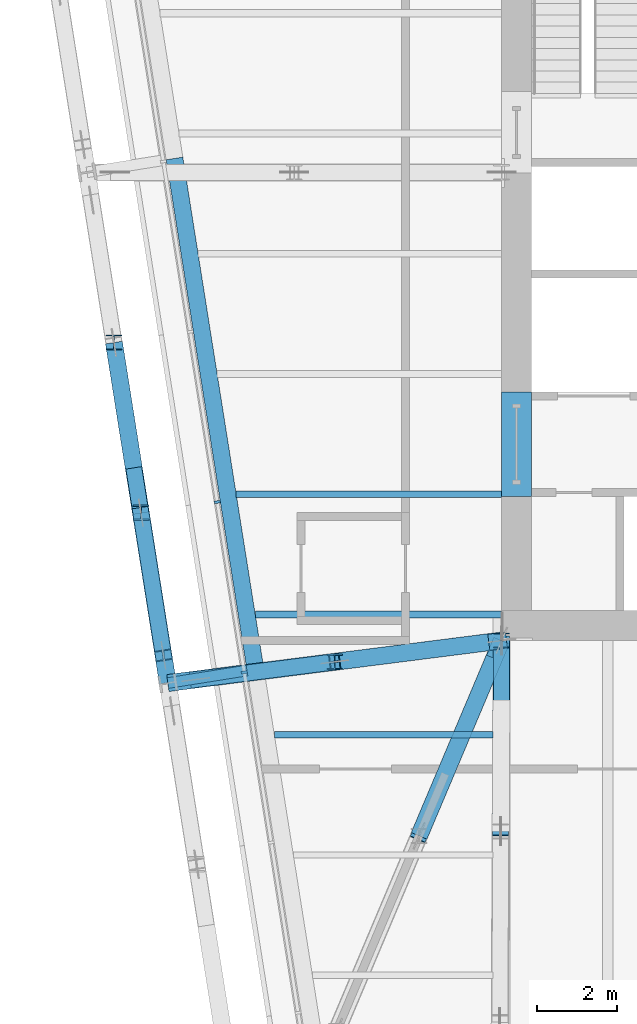
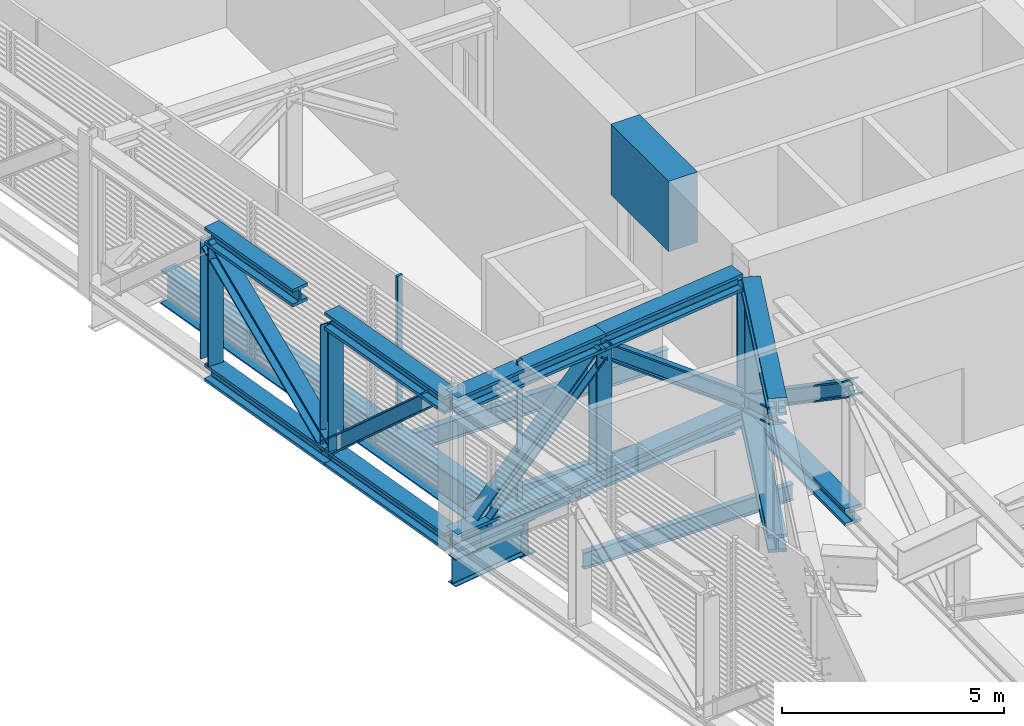
# One storey, part 4 of 31: 17 beams, 12 members, 1 element without a shape of its own.
"""IFC4 building model written with IfcOpenShell, lengths in metres."""

from ifc_helpers import new_model, si_unit, direction, frame, origin, origin_2d, place, context, subcontext, project, spatial, rectangle, i_section, extrude, material, layer, layer_set, material_profile, profile_set, type_object, element, aggregate, save


model = new_model("IFC4")

# Units and contexts
model_context = context("Model", 3, precision=1e-05, world=origin(), true_north=direction((0.0, 1.0)))
body_context = subcontext(model_context, "Body", "Model", "MODEL_VIEW")
ifc_project = project(units=[si_unit("LENGTHUNIT", "METRE"), si_unit("AREAUNIT", "SQUARE_METRE"), si_unit("VOLUMEUNIT", "CUBIC_METRE"), si_unit("PLANEANGLEUNIT", "RADIAN"), si_unit("MASSUNIT", "GRAM", prefix="KILO")], contexts=[model_context])

# Site, building, storey
site_placement = place(None, origin())
site = spatial("IfcSite", under=ifc_project, at=site_placement, CompositionType="ELEMENT")
building_placement = place(site_placement, origin())
building = spatial("IfcBuilding", under=site, at=building_placement, Name="Millrace Tower", CompositionType="ELEMENT")
storey_placement = place(building_placement, frame((0.0, 0.0, 195.60009765625)))
storey = spatial("IfcBuildingStorey", under=building, at=storey_placement, Name="L44", CompositionType="ELEMENT", Elevation=195.60009765625)

# Beams
ifc_material_1 = material(Name="Steel ASTM A992 Grade 50", Category="steel")
ifc_material_profile_1 = material_profile(ifc_material_1, i_section(OverallWidth=0.4267578125, OverallDepth=0.482666015625, WebThickness=0.05126953125, FlangeThickness=0.08154296875, FilletRadius=0.01513671875, at=origin_2d()))
ifc_profile_set_1 = profile_set([ifc_material_profile_1], Name="Steel ASTM A992 Grade 50")
beam_type_1 = type_object("IfcBeamType", Name="Belt truss chord W14x455", PredefinedType="BEAM", material=ifc_profile_set_1)
for number, where, z_axis, x_axis, name in (
    (1, (-24.322265625, -2.215576171875, 0.2412109375), (0.15642030113, -0.987690583834, 0.0), (0.987690583834, 0.15642030113, 0.0), "BLT-L44-R15-B02"),
    (2, (-23.649658203125, -6.462646484375, 0.2412109375), (0.15642030113, -0.987690583834, 0.0), (0.987690583834, 0.15642030113, 0.0), "BLT-L44-R15-B03"),
):
    element("IfcBeam", number, at=place(storey_placement, frame(where, z_axis=z_axis, x_axis=x_axis)), inside=storey, type_object=beam_type_1, Name=name, PredefinedType="BEAM", context=body_context, shape_type="SweptSolid", body=[
        extrude(i_section(OverallWidth=0.4267578125, OverallDepth=0.482666015625, WebThickness=0.05126953125, FlangeThickness=0.08154296875, FilletRadius=0.01513671875, at=origin_2d()), origin(), (0.0, 0.0, 1.0), 4.300048828125),
    ])
beam_1_placement = place(storey_placement, frame((-24.322265625, -2.215576171875, 3.99853515625), z_axis=(0.156386476371, -0.987695940059, 0.0), x_axis=(0.987695940059, 0.156386476371, 0.0)))
element("IfcBeam", 3, at=beam_1_placement, inside=storey, type_object=beam_type_1, Name="BLT-L44-R15-T02", PredefinedType="BEAM", context=body_context, shape_type="SweptSolid", body=[
    extrude(i_section(OverallWidth=0.4267578125, OverallDepth=0.482666015625, WebThickness=0.05126953125, FlangeThickness=0.08154296875, FilletRadius=0.01513671875, at=origin_2d()), origin(), (0.0, 0.0, 1.0), 3.164306640625),
])
beam_2_placement = place(storey_placement, frame((-23.649658203125, -6.462646484375, 3.99853515625), z_axis=(0.156447680442, -0.98768624739, 0.0), x_axis=(0.98768624739, 0.156447680442, 0.0)))
element("IfcBeam", 4, at=beam_2_placement, inside=storey, type_object=beam_type_1, Name="BLT-L44-R15-T03", PredefinedType="BEAM", context=body_context, shape_type="SweptSolid", body=[
    extrude(i_section(OverallWidth=0.4267578125, OverallDepth=0.482666015625, WebThickness=0.05126953125, FlangeThickness=0.08154296875, FilletRadius=0.01513671875, at=origin_2d()), origin(), (0.0, 0.0, 1.0), 4.289794921875),
])

# Members
ifc_material_2 = material(Name="Steel ASTM A992 Grade 50", Category="steel")
ifc_material_profile_2 = material_profile(ifc_material_2, i_section(OverallWidth=0.398681640625, OverallDepth=0.393798828125, WebThickness=0.022705078125, FlangeThickness=0.03662109375, FilletRadius=0.01513671875, at=origin_2d()))
ifc_profile_set_2 = profile_set([ifc_material_profile_2], Name="Steel ASTM A992 Grade 50")
member_type_1 = type_object("IfcMemberType", Name="Belt truss diagonal W14x193", PredefinedType="BRACE", material=ifc_profile_set_2)
member_1_placement = place(storey_placement, frame((-23.649658203125, -6.462646484375, 0.482421875), z_axis=(-0.124439645949, 0.78575393137, 0.605892345102), x_axis=(-0.987690583834, -0.15642030113, 0.0)))
element("IfcMember", 5, at=member_1_placement, inside=storey, type_object=member_type_1, Name="BLT-L44-R15-D02", PredefinedType="BRACE", context=body_context, shape_type="SweptSolid", body=[
    extrude(i_section(OverallWidth=0.398681640625, OverallDepth=0.393798828125, WebThickness=0.022705078125, FlangeThickness=0.03662109375, FilletRadius=0.01513671875, at=origin_2d()), origin(), (0.0, 0.0, 1.0), 5.405029296875),
])
member_2_placement = place(storey_placement, frame((-23.649658203125, -6.462646484375, 0.482421875), z_axis=(0.115681928524, -0.730612145283, 0.672921677893), x_axis=(0.9876957895, 0.156387427258, 0.0)))
element("IfcMember", 6, at=member_2_placement, inside=storey, type_object=member_type_1, Name="BLT-L44-R15-D03", PredefinedType="BRACE", context=body_context, shape_type="SweptSolid", body=[
    extrude(i_section(OverallWidth=0.398681640625, OverallDepth=0.393798828125, WebThickness=0.022705078125, FlangeThickness=0.03662109375, FilletRadius=0.01513671875, at=origin_2d()), origin(), (0.0, 0.0, 1.0), 4.86669921875),
])
ifc_material_3 = material(Name="Steel ASTM A992 Grade 50", Category="steel")
ifc_material_profile_3 = material_profile(ifc_material_3, i_section(OverallWidth=0.396240234375, OverallDepth=0.381103515625, WebThickness=0.018798828125, FlangeThickness=0.0302734375, FilletRadius=0.01513671875, at=origin_2d()))
ifc_profile_set_3 = profile_set([ifc_material_profile_3], Name="Steel ASTM A992 Grade 50")
member_type_2 = type_object("IfcMemberType", Name="Belt truss post W14x159", PredefinedType="POST", material=ifc_profile_set_3)
for number, where, z_axis, x_axis, name in (
    (7, (-24.322265625, -2.215576171875, 0.482421875), (0.0, 0.0, 1.0), (1.0, 0.0, 0.0), "BLT-L44-R15-V01"),
    (8, (-23.649658203125, -6.462646484375, 0.482421875), (0.0, 0.0, 1.0), (1.0, 0.0, 0.0), "BLT-L44-R15-V02"),
):
    element("IfcMember", number, at=place(storey_placement, frame(where, z_axis=z_axis, x_axis=x_axis)), inside=storey, type_object=member_type_2, Name=name, PredefinedType="POST", context=body_context, shape_type="SweptSolid", body=[
        extrude(i_section(OverallWidth=0.396240234375, OverallDepth=0.381103515625, WebThickness=0.018798828125, FlangeThickness=0.0302734375, FilletRadius=0.01513671875, at=origin_2d()), origin(), (0.0, 0.0, 1.0), 3.27490234375),
    ])

# Curtain wall, members
ifc_material_4 = material(Name="Aluminium and glass", Category="aluminium")
ifc_layer = layer(ifc_material_4, 0.14990234375)
ifc_layer_set = layer_set([ifc_layer], Name="Aluminium and glass")
curtain_wall_type = type_object("IfcCurtainWallType", Name="CW-5 truss and plant storey louvred infill", PredefinedType="NOTDEFINED", material=ifc_layer_set)
curtain_wall_placement = place(storey_placement, origin())
curtain_wall = element("IfcCurtainWall", 9, at=curtain_wall_placement, inside=storey, type_object=curtain_wall_type, Name="Curtain wall C-F08 L44", PredefinedType="NOTDEFINED")
ifc_material_5 = material(Name="Aluminium", Category="aluminium")
ifc_material_profile_4 = material_profile(ifc_material_5, rectangle(XDim=0.06494140625, YDim=0.14990234375, at=origin_2d()))
ifc_profile_set_4 = profile_set([ifc_material_profile_4], Name="Aluminium")
member_type_3 = type_object("IfcMemberType", Name="CW-5 truss and plant storey louvred infill mullion", PredefinedType="MULLION", material=ifc_profile_set_4)
member_3_placement = place(storey_placement, frame((-21.743408203125, -6.193603515625, 0.139892578125), z_axis=(0.0, 0.0, 1.0), x_axis=(0.15643447328, -0.98768833929, 0.0)))
member_3 = element("IfcMember", 10, at=member_3_placement, type_object=member_type_3, Name="CW5 mullion C-F08.6", PredefinedType="MULLION", context=body_context, shape_type="SweptSolid", body=[
    extrude(rectangle(XDim=0.06494140625, YDim=0.14990234375, at=origin_2d()), origin(), (0.0, 0.0, 1.0), 4.199951171875),
])
member_4_placement = place(storey_placement, frame((-21.070556640625, -10.440673828125, 0.139892578125), z_axis=(0.0, 0.0, 1.0), x_axis=(0.15643447328, -0.98768833929, 0.0)))
member_4 = element("IfcMember", 11, at=member_4_placement, type_object=member_type_3, Name="CW5 mullion C-F08.7", PredefinedType="MULLION", context=body_context, shape_type="SweptSolid", body=[
    extrude(rectangle(XDim=0.06494140625, YDim=0.14990234375, at=origin_2d()), origin(), (0.0, 0.0, 1.0), 4.199951171875),
])
aggregate(curtain_wall, [member_3, member_4])

# Beams
ifc_material_6 = material(Name="Concrete C70", Category="concrete")
ifc_material_profile_5 = material_profile(ifc_material_6, rectangle(XDim=0.75, YDim=1.93994140625, at=origin_2d()))
ifc_profile_set_5 = profile_set([ifc_material_profile_5], Name="Concrete C70")
beam_type_2 = type_object("IfcBeamType", Name="Coupling beam 750 x 1940 Concrete C70, 2000 opening", PredefinedType="BEAM", material=ifc_profile_set_5)
beam_3_placement = place(storey_placement, frame((-14.27490234375, -6.050048828125, 3.369873046875), z_axis=(0.0, 1.0, 0.0), x_axis=(-1.0, 0.0, 0.0)))
element("IfcBeam", 12, at=beam_3_placement, inside=storey, type_object=beam_type_2, Name="Coupling beam W L44", PredefinedType="BEAM", context=body_context, shape_type="SweptSolid", body=[
    extrude(rectangle(XDim=0.75, YDim=1.93994140625, at=origin_2d()), origin(), (0.0, 0.0, 1.0), 2.60009765625),
])
ifc_material_7 = material(Name="Steel ASTM A992 Grade 50", Category="steel")
ifc_material_profile_6 = material_profile(ifc_material_7, i_section(OverallWidth=0.15234375, OverallDepth=0.449462890625, WebThickness=0.007568359375, FlangeThickness=0.0107421875, FilletRadius=0.01025390625, at=origin_2d()))
ifc_profile_set_6 = profile_set([ifc_material_profile_6], Name="Steel ASTM A992 Grade 50")
beam_type_3 = type_object("IfcBeamType", Name="Floor beam W18x35", PredefinedType="JOIST", material=ifc_profile_set_6)
beam_4_placement = place(storey_placement, frame((-20.32080078125, -12.0, -0.474853515625), z_axis=(1.0, 0.0, 0.0), x_axis=(0.0, 1.0, 0.0)))
element("IfcBeam", 13, at=beam_4_placement, inside=storey, type_object=beam_type_3, Name="BM-C-L44-S1-S008", PredefinedType="JOIST", context=body_context, shape_type="SweptSolid", body=[
    extrude(i_section(OverallWidth=0.15234375, OverallDepth=0.449462890625, WebThickness=0.007568359375, FlangeThickness=0.0107421875, FilletRadius=0.01025390625, at=origin_2d()), origin(), (0.0, 0.0, 1.0), 5.458740234375),
])
ifc_material_8 = material(Name="Steel ASTM A992 Grade 50", Category="steel")
ifc_material_profile_7 = material_profile(ifc_material_8, i_section(OverallWidth=0.1650390625, OverallDepth=0.52587890625, WebThickness=0.0087890625, FlangeThickness=0.011474609375, FilletRadius=0.0126953125, at=origin_2d()))
ifc_profile_set_7 = profile_set([ifc_material_profile_7], Name="Steel ASTM A992 Grade 50")
beam_type_4 = type_object("IfcBeamType", Name="Floor beam W21x44", PredefinedType="JOIST", material=ifc_profile_set_7)
beam_5_placement = place(storey_placement, frame((-20.7958984375, -9.0, -0.512939453125), z_axis=(1.0, 0.0, 0.0), x_axis=(0.0, 1.0, 0.0)))
element("IfcBeam", 14, at=beam_5_placement, inside=storey, type_object=beam_type_4, Name="BM-C-L44-S1-S011", PredefinedType="JOIST", context=body_context, shape_type="SweptSolid", body=[
    extrude(i_section(OverallWidth=0.1650390625, OverallDepth=0.52587890625, WebThickness=0.0087890625, FlangeThickness=0.011474609375, FilletRadius=0.0126953125, at=origin_2d()), origin(), (0.0, 0.0, 1.0), 6.14599609375),
])
beam_6_placement = place(storey_placement, frame((-21.271240234375, -6.0, -0.512939453125), z_axis=(1.0, 0.0, 0.0), x_axis=(0.0, 1.0, 0.0)))
element("IfcBeam", 15, at=beam_6_placement, inside=storey, type_object=beam_type_4, Name="BM-C-L44-S1-S014", PredefinedType="JOIST", context=body_context, shape_type="SweptSolid", body=[
    extrude(i_section(OverallWidth=0.1650390625, OverallDepth=0.52587890625, WebThickness=0.0087890625, FlangeThickness=0.011474609375, FilletRadius=0.0126953125, at=origin_2d()), origin(), (0.0, 0.0, 1.0), 6.621337890625),
])
ifc_material_9 = material(Name="Steel ASTM A992 Grade 50", Category="steel")
ifc_material_profile_8 = material_profile(ifc_material_9, i_section(OverallWidth=0.2666015625, OverallDepth=0.7568359375, WebThickness=0.013916015625, FlangeThickness=0.019287109375, FilletRadius=0.0166015625, at=origin_2d()))
ifc_profile_set_8 = profile_set([ifc_material_profile_8], Name="Steel ASTM A992 Grade 50")
beam_type_5 = type_object("IfcBeamType", Name="Link beam W30x108", PredefinedType="BEAM", material=ifc_profile_set_8)
beam_7_placement = place(storey_placement, frame((-21.001708984375, -10.396728515625, -0.628662109375), z_axis=(-0.987678691416, -0.156495375404, 0.0), x_axis=(0.156495375404, -0.987678691416, 0.0)))
element("IfcBeam", 16, at=beam_7_placement, inside=storey, type_object=beam_type_5, Name="LNK-C-L44-S1-02", PredefinedType="BEAM", context=body_context, shape_type="SweptSolid", body=[
    extrude(i_section(OverallWidth=0.2666015625, OverallDepth=0.7568359375, WebThickness=0.013916015625, FlangeThickness=0.019287109375, FilletRadius=0.0166015625, at=origin_2d()), origin(), (0.0, 0.0, 1.0), 2.0),
])
ifc_material_10 = material(Name="Steel ASTM A992 Grade 50", Category="steel")
ifc_material_profile_9 = material_profile(ifc_material_10, i_section(OverallWidth=0.4267578125, OverallDepth=0.482666015625, WebThickness=0.05126953125, FlangeThickness=0.08154296875, FilletRadius=0.01513671875, at=origin_2d()))
ifc_profile_set_9 = profile_set([ifc_material_profile_9], Name="Steel ASTM A992 Grade 50")
beam_type_6 = type_object("IfcBeamType", Name="Outrigger truss chord W14x455", PredefinedType="BEAM", material=ifc_profile_set_9)
beam_8_placement = place(storey_placement, frame((-14.64990234375, -9.64990234375, 0.2412109375), z_axis=(-0.38934189697, -0.921093310835, 0.0), x_axis=(0.921093310835, -0.38934189697, 0.0)))
element("IfcBeam", 17, at=beam_8_placement, inside=storey, type_object=beam_type_6, Name="BLT-L44-O01-B01", PredefinedType="BEAM", context=body_context, shape_type="SweptSolid", body=[
    extrude(i_section(OverallWidth=0.4267578125, OverallDepth=0.482666015625, WebThickness=0.05126953125, FlangeThickness=0.08154296875, FilletRadius=0.01513671875, at=origin_2d()), origin(), (0.0, 0.0, 1.0), 5.29052734375),
])
beam_9_placement = place(storey_placement, frame((-14.64990234375, -9.64990234375, 0.2412109375), z_axis=(-0.004820456814, -0.999988381531, 0.0), x_axis=(0.999988381531, -0.004820456814, 0.0)))
element("IfcBeam", 18, at=beam_9_placement, inside=storey, type_object=beam_type_6, Name="BLT-L44-O02-B01", PredefinedType="BEAM", context=body_context, shape_type="SweptSolid", body=[
    extrude(i_section(OverallWidth=0.4267578125, OverallDepth=0.482666015625, WebThickness=0.05126953125, FlangeThickness=0.08154296875, FilletRadius=0.01513671875, at=origin_2d()), origin(), (0.0, 0.0, 1.0), 4.7607421875),
])
for number, where, z_axis, x_axis, name in (
    (19, (-14.64990234375, -9.64990234375, 0.2412109375), (-0.991994334969, -0.126282379572, 0.0), (0.126282379572, -0.991994334969, 0.0), "BLT-L44-O16-B01"),
    (20, (-18.8134765625, -10.179931640625, 0.2412109375), (-0.992001620138, -0.126225138718, 0.0), (0.126225138718, -0.992001620138, 0.0), "BLT-L44-O16-B02"),
    (21, (-18.8134765625, -10.179931640625, 3.99853515625), (-0.992001620138, -0.126225138718, 0.0), (0.126225138718, -0.992001620138, 0.0), "BLT-L44-O16-T02"),
):
    element("IfcBeam", number, at=place(storey_placement, frame(where, z_axis=z_axis, x_axis=x_axis)), inside=storey, type_object=beam_type_6, Name=name, PredefinedType="BEAM", context=body_context, shape_type="SweptSolid", body=[
        extrude(i_section(OverallWidth=0.4267578125, OverallDepth=0.482666015625, WebThickness=0.05126953125, FlangeThickness=0.08154296875, FilletRadius=0.01513671875, at=origin_2d()), origin(), (0.0, 0.0, 1.0), 4.197265625),
    ])
beam_10_placement = place(storey_placement, frame((-14.837158203125, -10.092529296875, 3.99853515625), z_axis=(-0.389313765125, -0.921105201529, 0.0), x_axis=(0.921105201529, -0.389313765125, 0.0)))
element("IfcBeam", 22, at=beam_10_placement, inside=storey, type_object=beam_type_6, Name="BLT-L44-O01-T01", PredefinedType="BEAM", context=body_context, shape_type="SweptSolid", body=[
    extrude(i_section(OverallWidth=0.4267578125, OverallDepth=0.482666015625, WebThickness=0.05126953125, FlangeThickness=0.08154296875, FilletRadius=0.01513671875, at=origin_2d()), origin(), (0.0, 0.0, 1.0), 4.809814453125),
])
beam_11_placement = place(storey_placement, frame((-14.97119140625, -9.69091796875, 3.99853515625), z_axis=(-0.991998055257, -0.126253151905, 0.0), x_axis=(0.126253151905, -0.991998055257, 0.0)))
element("IfcBeam", 23, at=beam_11_placement, inside=storey, type_object=beam_type_6, Name="BLT-L44-O16-T01", PredefinedType="BEAM", context=body_context, shape_type="SweptSolid", body=[
    extrude(i_section(OverallWidth=0.4267578125, OverallDepth=0.482666015625, WebThickness=0.05126953125, FlangeThickness=0.08154296875, FilletRadius=0.01513671875, at=origin_2d()), origin(), (0.0, 0.0, 1.0), 3.873291015625),
])

# Members
ifc_material_11 = material(Name="Steel ASTM A992 Grade 50", Category="steel")
ifc_material_profile_10 = material_profile(ifc_material_11, i_section(OverallWidth=0.398681640625, OverallDepth=0.393798828125, WebThickness=0.022705078125, FlangeThickness=0.03662109375, FilletRadius=0.01513671875, at=origin_2d()))
ifc_profile_set_10 = profile_set([ifc_material_profile_10], Name="Steel ASTM A992 Grade 50")
member_type_4 = type_object("IfcMemberType", Name="Outrigger truss diagonal W14x193", PredefinedType="BRACE", material=ifc_profile_set_10)
member_5_placement = place(storey_placement, frame((-14.64990234375, -9.64990234375, 0.482421875), z_axis=(-0.331048631264, -0.78318486192, 0.526334756403), x_axis=(0.921093310835, -0.38934189697, 0.0)))
element("IfcMember", 24, at=member_5_placement, inside=storey, type_object=member_type_4, Name="BLT-L44-O01-D01", PredefinedType="BRACE", context=body_context, shape_type="SweptSolid", body=[
    extrude(i_section(OverallWidth=0.398681640625, OverallDepth=0.393798828125, WebThickness=0.022705078125, FlangeThickness=0.03662109375, FilletRadius=0.01513671875, at=origin_2d()), origin(), (0.0, 0.0, 1.0), 6.22216796875),
])
member_6_placement = place(storey_placement, frame((-14.64990234375, -9.64990234375, 0.482421875), z_axis=(-0.003971536307, -0.823882531862, 0.566746681148), x_axis=(0.999988381531, -0.004820456814, 0.0)))
element("IfcMember", 25, at=member_6_placement, inside=storey, type_object=member_type_4, Name="BLT-L44-O02-D01", PredefinedType="BRACE", context=body_context, shape_type="SweptSolid", body=[
    extrude(i_section(OverallWidth=0.398681640625, OverallDepth=0.393798828125, WebThickness=0.022705078125, FlangeThickness=0.03662109375, FilletRadius=0.01513671875, at=origin_2d()), origin(), (0.0, 0.0, 1.0), 5.7783203125),
])
member_7_placement = place(storey_placement, frame((-14.64990234375, -9.64990234375, 0.482421875), z_axis=(-0.782089908786, -0.099561228567, 0.615160902806), x_axis=(0.126282379572, -0.991994334969, 0.0)))
element("IfcMember", 26, at=member_7_placement, inside=storey, type_object=member_type_4, Name="BLT-L44-O16-D01", PredefinedType="BRACE", context=body_context, shape_type="SweptSolid", body=[
    extrude(i_section(OverallWidth=0.398681640625, OverallDepth=0.393798828125, WebThickness=0.022705078125, FlangeThickness=0.03662109375, FilletRadius=0.01513671875, at=origin_2d()), origin(), (0.0, 0.0, 1.0), 5.32373046875),
])
member_8_placement = place(storey_placement, frame((-22.28271484375, -10.621337890625, 0.482421875), z_axis=(0.724087962688, 0.092128855492, 0.683526807284), x_axis=(-0.126216808276, 0.992002680091, 0.0)))
element("IfcMember", 27, at=member_8_placement, inside=storey, type_object=member_type_4, Name="BLT-L44-O16-D02", PredefinedType="BRACE", context=body_context, shape_type="SweptSolid", body=[
    extrude(i_section(OverallWidth=0.398681640625, OverallDepth=0.393798828125, WebThickness=0.022705078125, FlangeThickness=0.03662109375, FilletRadius=0.01513671875, at=origin_2d()), origin(), (0.0, 0.0, 1.0), 4.791259765625),
])
ifc_material_12 = material(Name="Steel ASTM A992 Grade 50", Category="steel")
ifc_material_profile_11 = material_profile(ifc_material_12, i_section(OverallWidth=0.396240234375, OverallDepth=0.381103515625, WebThickness=0.018798828125, FlangeThickness=0.0302734375, FilletRadius=0.01513671875, at=origin_2d()))
ifc_profile_set_11 = profile_set([ifc_material_profile_11], Name="Steel ASTM A992 Grade 50")
member_type_5 = type_object("IfcMemberType", Name="Outrigger truss post W14x159", PredefinedType="POST", material=ifc_profile_set_11)
for number, where, z_axis, x_axis, name in (
    (28, (-14.64990234375, -9.64990234375, 0.482421875), (0.0, 0.0, 1.0), (1.0, 0.0, 0.0), "BLT-L44-O01-V00"),
    (29, (-18.8134765625, -10.179931640625, 0.482421875), (0.0, 0.0, 1.0), (1.0, 0.0, 0.0), "BLT-L44-O16-V01"),
):
    element("IfcMember", number, at=place(storey_placement, frame(where, z_axis=z_axis, x_axis=x_axis)), inside=storey, type_object=member_type_5, Name=name, PredefinedType="POST", context=body_context, shape_type="SweptSolid", body=[
        extrude(i_section(OverallWidth=0.396240234375, OverallDepth=0.381103515625, WebThickness=0.018798828125, FlangeThickness=0.0302734375, FilletRadius=0.01513671875, at=origin_2d()), origin(), (0.0, 0.0, 1.0), 3.27490234375),
    ])

# Beam
ifc_material_13 = material(Name="Steel ASTM A992 Grade 50", Category="steel")
ifc_material_profile_12 = material_profile(ifc_material_13, i_section(OverallWidth=0.421630859375, OverallDepth=0.937255859375, WebThickness=0.021240234375, FlangeThickness=0.03662109375, FilletRadius=0.024169921875, at=origin_2d()))
ifc_profile_set_12 = profile_set([ifc_material_profile_12], Name="Steel ASTM A992 Grade 50")
beam_type_7 = type_object("IfcBeamType", Name="Ring beam medium span W36x262", PredefinedType="SPANDREL", material=ifc_profile_set_12)
beam_12_placement = place(storey_placement, frame((-20.79345703125, -10.36376953125, -0.71875), z_axis=(-0.156438763615, 0.987687659758, 0.0), x_axis=(-0.987687659758, -0.156438763615, 0.0)))
element("IfcBeam", 30, at=beam_12_placement, inside=storey, type_object=beam_type_7, Name="RNG-C-L44-S1-02", PredefinedType="SPANDREL", context=body_context, shape_type="SweptSolid", body=[
    extrude(i_section(OverallWidth=0.421630859375, OverallDepth=0.937255859375, WebThickness=0.021240234375, FlangeThickness=0.03662109375, FilletRadius=0.024169921875, at=origin_2d()), origin(), (0.0, 0.0, 1.0), 12.900146484375),
])

save(model, "model.ifc")
